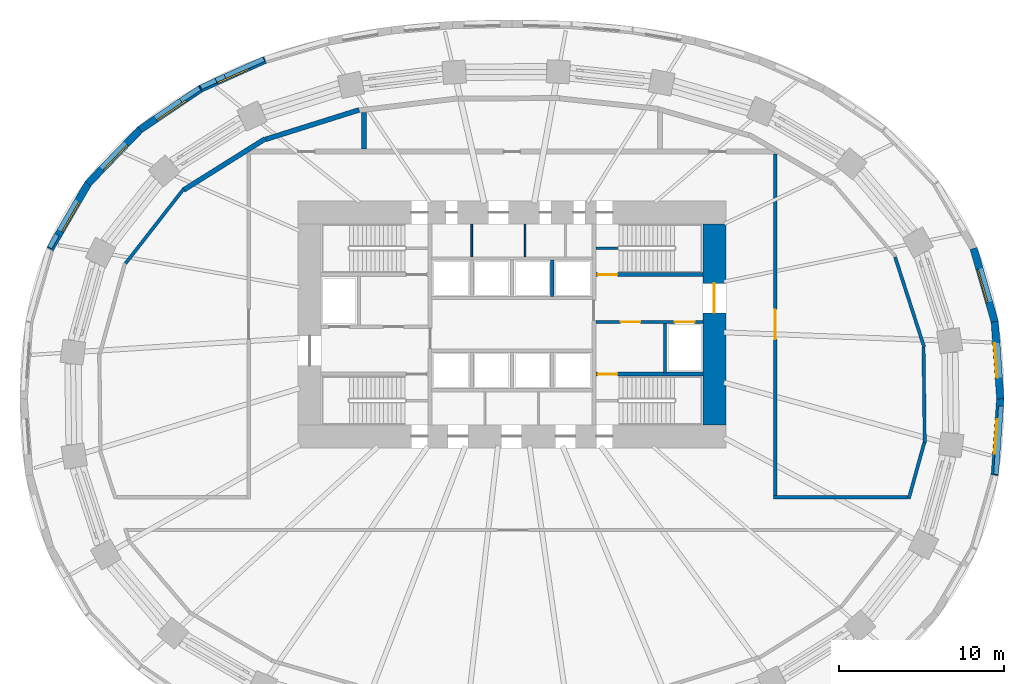
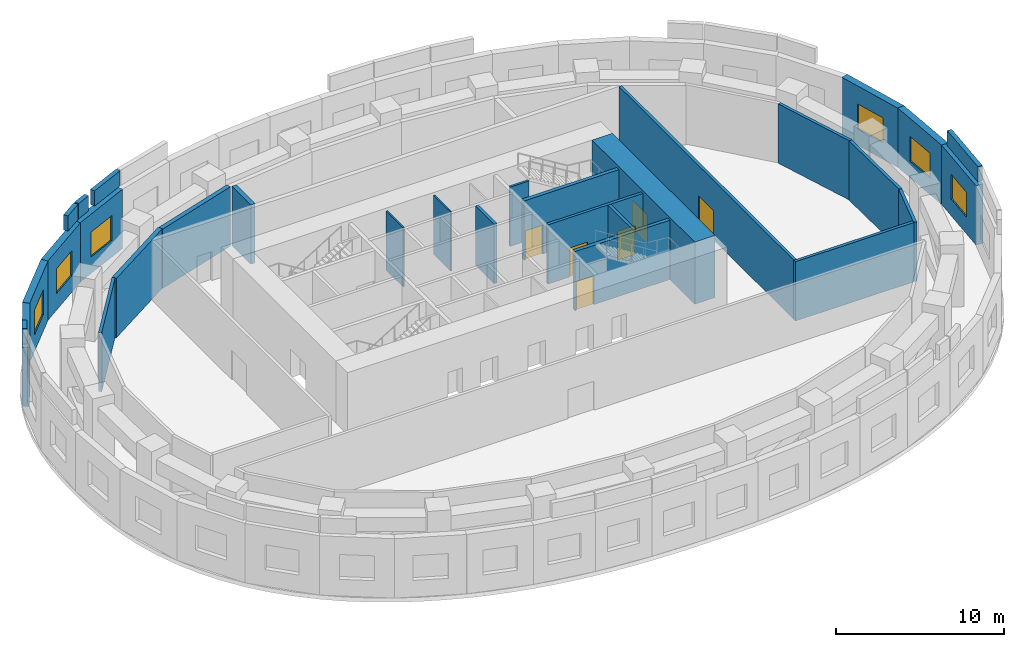
# One storey, part 6 of 9: 30 walls, 7 windows, 6 doors, 13 openings.
"""IFC4 building model written with IfcOpenShell, lengths in metres."""

from ifc_helpers import new_model, si_unit, direction, frame, frame_2d, origin, place, context, subcontext, project, spatial, rectangle, extrude, material, layer, layer_set, type_object, element, fill, save


model = new_model("IFC4")

# Units and contexts
model_context = context("Model", 3, precision=1e-05, world=origin(), true_north=direction((0.0, 1.0)))
body_context = subcontext(model_context, "Body", "Model", "MODEL_VIEW")
ifc_project = project(units=[si_unit("LENGTHUNIT", "METRE"), si_unit("AREAUNIT", "SQUARE_METRE"), si_unit("VOLUMEUNIT", "CUBIC_METRE"), si_unit("PLANEANGLEUNIT", "RADIAN"), si_unit("MASSUNIT", "GRAM", prefix="KILO")], contexts=[model_context])

# Site, building, storey
site_placement = place(None, origin())
site = spatial("IfcSite", under=ifc_project, at=site_placement, CompositionType="ELEMENT")
building_placement = place(site_placement, origin())
building = spatial("IfcBuilding", under=site, at=building_placement, Name="Rubra Terraces Tower", CompositionType="ELEMENT")
storey_placement = place(building_placement, frame((0.0, 0.0, 33.0)))
storey = spatial("IfcBuildingStorey", under=building, at=storey_placement, Name="L05", CompositionType="ELEMENT", Elevation=33.0)

# Wall, opening, window
ifc_material_1 = material(Name="Brick masonry red-brown", Category="masonry")
ifc_layer_1 = layer(ifc_material_1, 0.449951171875)
ifc_layer_set_1 = layer_set([ifc_layer_1], Name="Brick masonry red-brown")
wall_type_1 = type_object("IfcWallType", Name="Brick facade wall 450", PredefinedType="SOLIDWALL", material=ifc_layer_set_1)
wall_1_placement = place(storey_placement, frame((29.675537109375, -0.01611328125, 0.0), z_axis=(0.0, 0.0, 1.0), x_axis=(-0.071775601577, 0.997420805387, 0.0)))
wall_1 = element("IfcWall", 1, at=wall_1_placement, inside=storey, type_object=wall_type_1, Name="Facade wall L05 bay 1", PredefinedType="SOLIDWALL", context=body_context, shape_type="SweptSolid", body=[
    extrude(rectangle(XDim=4.694091796875, YDim=0.449951171875, at=frame_2d((2.34716796875, 0.0))), origin(), (0.0, 0.0, 1.0), 4.300048828125),
])
opening_1_placement = place(wall_1_placement, frame((1.297119140625, 0.0, 1.199951171875)))
opening_1 = element("IfcOpeningElement", 2, at=opening_1_placement, cuts=wall_1, Name="Opening W4", PredefinedType="OPENING", context=body_context, shape_type="SweptSolid", body=[
    extrude(rectangle(XDim=2.10009765625, YDim=1.800048828125, at=frame_2d((1.050048828125, 0.89990234375))), frame((0.0, 0.23486328125, 0.0), z_axis=(0.0, -1.0, 0.0), x_axis=(1.0, 0.0, 0.0)), (0.0, 0.0, 1.0), 0.469970703125),
])
ifc_material_2 = material(Name="Clear glass in aluminium frame", Category="aluminium")
window_type = type_object("IfcWindowType", Name="Louvred plant window 2100 x 1800", PartitioningType="SINGLE_PANEL", PredefinedType="WINDOW", material=ifc_material_2)
window_1_placement = place(opening_1_placement, origin())
window_1 = element("IfcWindow", 3, at=window_1_placement, inside=storey, type_object=window_type, Name="Window L05 bay 1", OverallHeight=1.800048828125, OverallWidth=2.10009765625, PartitioningType="SINGLE_PANEL", PredefinedType="WINDOW", context=body_context, shape_type="SweptSolid", body=[
    extrude(rectangle(XDim=2.10009765625, YDim=1.800048828125, at=frame_2d((1.050048828125, 0.89990234375))), frame((0.0, 0.135009765625, 0.0), z_axis=(0.0, -1.0, 0.0), x_axis=(1.0, 0.0, 0.0)), (0.0, 0.0, 1.0), 0.06005859375),
])
fill(opening_1, window_1)

wall_2_placement = place(storey_placement, frame((29.3466796875, 4.619873046875, 0.0), z_axis=(0.0, 0.0, 1.0), x_axis=(-0.27637239746, 0.961050621935, 0.0)))
wall_2 = element("IfcWall", 4, at=wall_2_placement, inside=storey, type_object=wall_type_1, Name="Facade wall L05 bay 2", PredefinedType="SOLIDWALL", context=body_context, shape_type="SweptSolid", body=[
    extrude(rectangle(XDim=4.685302734375, YDim=0.449951171875, at=frame_2d((2.3427734375, 0.0))), origin(), (0.0, 0.0, 1.0), 4.300048828125),
])
opening_2_placement = place(wall_2_placement, frame((1.292724609375, 0.0, 1.199951171875)))
opening_2 = element("IfcOpeningElement", 5, at=opening_2_placement, cuts=wall_2, Name="Opening W4", PredefinedType="OPENING", context=body_context, shape_type="SweptSolid", body=[
    extrude(rectangle(XDim=2.10009765625, YDim=1.800048828125, at=frame_2d((1.050048828125, 0.89990234375))), frame((0.0, 0.23486328125, 0.0), z_axis=(0.0, -1.0, 0.0), x_axis=(1.0, 0.0, 0.0)), (0.0, 0.0, 1.0), 0.469970703125),
])
window_2_placement = place(opening_2_placement, origin())
window_2 = element("IfcWindow", 6, at=window_2_placement, inside=storey, type_object=window_type, Name="Window L05 bay 2", OverallHeight=1.800048828125, OverallWidth=2.10009765625, PartitioningType="SINGLE_PANEL", PredefinedType="WINDOW", context=body_context, shape_type="SweptSolid", body=[
    extrude(rectangle(XDim=2.10009765625, YDim=1.800048828125, at=frame_2d((1.050048828125, 0.89990234375))), frame((0.0, 0.135009765625, 0.0), z_axis=(0.0, -1.0, 0.0), x_axis=(1.0, 0.0, 0.0)), (0.0, 0.0, 1.0), 0.06005859375),
])
fill(opening_2, window_2)

wall_3_placement = place(storey_placement, frame((-15.009033203125, 20.57958984375, 0.0), z_axis=(0.0, 0.0, 1.0), x_axis=(-0.912571415594, -0.408917365052, 0.0)))
wall_3 = element("IfcWall", 7, at=wall_3_placement, inside=storey, type_object=wall_type_1, Name="Facade wall L05 bay 15", PredefinedType="SOLIDWALL", context=body_context, shape_type="SweptSolid", body=[
    extrude(rectangle(XDim=4.301025390625, YDim=0.449951171875, at=frame_2d((2.150390625, 0.0))), origin(), (0.0, 0.0, 1.0), 4.300048828125),
])
opening_3_placement = place(wall_3_placement, frame((1.1005859375, 0.0, 1.199951171875)))
opening_3 = element("IfcOpeningElement", 8, at=opening_3_placement, cuts=wall_3, Name="Opening W4", PredefinedType="OPENING", context=body_context, shape_type="SweptSolid", body=[
    extrude(rectangle(XDim=2.10009765625, YDim=1.800048828125, at=frame_2d((1.050048828125, 0.89990234375))), frame((0.0, 0.23486328125, 0.0), z_axis=(0.0, -1.0, 0.0), x_axis=(1.0, 0.0, 0.0)), (0.0, 0.0, 1.0), 0.469970703125),
])
window_3_placement = place(opening_3_placement, origin())
window_3 = element("IfcWindow", 9, at=window_3_placement, inside=storey, type_object=window_type, Name="Window L05 bay 15", OverallHeight=1.800048828125, OverallWidth=2.10009765625, PartitioningType="SINGLE_PANEL", PredefinedType="WINDOW", context=body_context, shape_type="SweptSolid", body=[
    extrude(rectangle(XDim=2.10009765625, YDim=1.800048828125, at=frame_2d((1.050048828125, 0.89990234375))), frame((0.0, 0.135009765625, 0.0), z_axis=(0.0, -1.0, 0.0), x_axis=(1.0, 0.0, 0.0)), (0.0, 0.0, 1.0), 0.06005859375),
])
fill(opening_3, window_3)

wall_4_placement = place(storey_placement, frame((-18.900146484375, 18.839599609375, 0.0), z_axis=(0.0, 0.0, 1.0), x_axis=(-0.828976924359, -0.559282807604, 0.0)))
wall_4 = element("IfcWall", 10, at=wall_4_placement, inside=storey, type_object=wall_type_1, Name="Facade wall L05 bay 16", PredefinedType="SOLIDWALL", context=body_context, shape_type="SweptSolid", body=[
    extrude(rectangle(XDim=4.479248046875, YDim=0.449951171875, at=frame_2d((2.23974609375, 0.0))), origin(), (0.0, 0.0, 1.0), 4.300048828125),
])
opening_4_placement = place(wall_4_placement, frame((1.189453125, 0.0, 1.199951171875)))
opening_4 = element("IfcOpeningElement", 11, at=opening_4_placement, cuts=wall_4, Name="Opening W4", PredefinedType="OPENING", context=body_context, shape_type="SweptSolid", body=[
    extrude(rectangle(XDim=2.10009765625, YDim=1.800048828125, at=frame_2d((1.050048828125, 0.89990234375))), frame((0.0, 0.23486328125, 0.0), z_axis=(0.0, -1.0, 0.0), x_axis=(1.0, 0.0, 0.0)), (0.0, 0.0, 1.0), 0.469970703125),
])
window_4_placement = place(opening_4_placement, origin())
window_4 = element("IfcWindow", 12, at=window_4_placement, inside=storey, type_object=window_type, Name="Window L05 bay 16", OverallHeight=1.800048828125, OverallWidth=2.10009765625, PartitioningType="SINGLE_PANEL", PredefinedType="WINDOW", context=body_context, shape_type="SweptSolid", body=[
    extrude(rectangle(XDim=2.10009765625, YDim=1.800048828125, at=frame_2d((1.050048828125, 0.89990234375))), frame((0.0, 0.135009765625, 0.0), z_axis=(0.0, -1.0, 0.0), x_axis=(1.0, 0.0, 0.0)), (0.0, 0.0, 1.0), 0.06005859375),
])
fill(opening_4, window_4)

wall_5_placement = place(storey_placement, frame((-22.576904296875, 16.36474609375, 0.0), z_axis=(0.0, 0.0, 1.0), x_axis=(-0.694191591241, -0.719790271294, 0.0)))
wall_5 = element("IfcWall", 13, at=wall_5_placement, inside=storey, type_object=wall_type_1, Name="Facade wall L05 bay 17", PredefinedType="SOLIDWALL", context=body_context, shape_type="SweptSolid", body=[
    extrude(rectangle(XDim=4.596923828125, YDim=0.449951171875, at=frame_2d((2.29833984375, 0.0))), origin(), (0.0, 0.0, 1.0), 4.300048828125),
])
opening_5_placement = place(wall_5_placement, frame((1.24853515625, 0.0, 1.199951171875)))
opening_5 = element("IfcOpeningElement", 14, at=opening_5_placement, cuts=wall_5, Name="Opening W4", PredefinedType="OPENING", context=body_context, shape_type="SweptSolid", body=[
    extrude(rectangle(XDim=2.10009765625, YDim=1.800048828125, at=frame_2d((1.050048828125, 0.89990234375))), frame((0.0, 0.23486328125, 0.0), z_axis=(0.0, -1.0, 0.0), x_axis=(1.0, 0.0, 0.0)), (0.0, 0.0, 1.0), 0.469970703125),
])
window_5_placement = place(opening_5_placement, origin())
window_5 = element("IfcWindow", 15, at=window_5_placement, inside=storey, type_object=window_type, Name="Window L05 bay 17", OverallHeight=1.800048828125, OverallWidth=2.10009765625, PartitioningType="SINGLE_PANEL", PredefinedType="WINDOW", context=body_context, shape_type="SweptSolid", body=[
    extrude(rectangle(XDim=2.10009765625, YDim=1.800048828125, at=frame_2d((1.050048828125, 0.89990234375))), frame((0.0, 0.135009765625, 0.0), z_axis=(0.0, -1.0, 0.0), x_axis=(1.0, 0.0, 0.0)), (0.0, 0.0, 1.0), 0.06005859375),
])
fill(opening_5, window_5)

wall_6_placement = place(storey_placement, frame((-25.7353515625, 13.09912109375, 0.0), z_axis=(0.0, 0.0, 1.0), x_axis=(-0.502106426501, -0.864805837438, 0.0)))
wall_6 = element("IfcWall", 16, at=wall_6_placement, inside=storey, type_object=wall_type_1, Name="Facade wall L05 bay 18", PredefinedType="SOLIDWALL", context=body_context, shape_type="SweptSolid", body=[
    extrude(rectangle(XDim=4.65673828125, YDim=0.449951171875, at=frame_2d((2.328369140625, 0.0))), origin(), (0.0, 0.0, 1.0), 4.300048828125),
])
opening_6_placement = place(wall_6_placement, frame((1.2783203125, 0.0, 1.199951171875)))
opening_6 = element("IfcOpeningElement", 17, at=opening_6_placement, cuts=wall_6, Name="Opening W4", PredefinedType="OPENING", context=body_context, shape_type="SweptSolid", body=[
    extrude(rectangle(XDim=2.10009765625, YDim=1.800048828125, at=frame_2d((1.050048828125, 0.89990234375))), frame((0.0, 0.23486328125, 0.0), z_axis=(0.0, -1.0, 0.0), x_axis=(1.0, 0.0, 0.0)), (0.0, 0.0, 1.0), 0.469970703125),
])
window_6_placement = place(opening_6_placement, origin())
window_6 = element("IfcWindow", 18, at=window_6_placement, inside=storey, type_object=window_type, Name="Window L05 bay 18", OverallHeight=1.800048828125, OverallWidth=2.10009765625, PartitioningType="SINGLE_PANEL", PredefinedType="WINDOW", context=body_context, shape_type="SweptSolid", body=[
    extrude(rectangle(XDim=2.10009765625, YDim=1.800048828125, at=frame_2d((1.050048828125, 0.89990234375))), frame((0.0, 0.135009765625, 0.0), z_axis=(0.0, -1.0, 0.0), x_axis=(1.0, 0.0, 0.0)), (0.0, 0.0, 1.0), 0.06005859375),
])
fill(opening_6, window_6)

wall_7_placement = place(storey_placement, frame((29.338623046875, -4.665771484375, 0.0), z_axis=(0.0, 0.0, 1.0), x_axis=(0.071775601577, 0.997420805387, 0.0)))
wall_7 = element("IfcWall", 19, at=wall_7_placement, inside=storey, type_object=wall_type_1, Name="Facade wall L05 bay 40", PredefinedType="SOLIDWALL", context=body_context, shape_type="SweptSolid", body=[
    extrude(rectangle(XDim=4.694091796875, YDim=0.449951171875, at=frame_2d((2.34716796875, 0.0))), origin(), (0.0, 0.0, 1.0), 4.300048828125),
])
opening_7_placement = place(wall_7_placement, frame((1.297119140625, 0.0, 1.199951171875)))
opening_7 = element("IfcOpeningElement", 20, at=opening_7_placement, cuts=wall_7, Name="Opening W4", PredefinedType="OPENING", context=body_context, shape_type="SweptSolid", body=[
    extrude(rectangle(XDim=2.10009765625, YDim=1.800048828125, at=frame_2d((1.050048828125, 0.89990234375))), frame((0.0, 0.23486328125, 0.0), z_axis=(0.0, -1.0, 0.0), x_axis=(1.0, 0.0, 0.0)), (0.0, 0.0, 1.0), 0.469970703125),
])
window_7_placement = place(opening_7_placement, origin())
window_7 = element("IfcWindow", 21, at=window_7_placement, inside=storey, type_object=window_type, Name="Window L05 bay 40", OverallHeight=1.800048828125, OverallWidth=2.10009765625, PartitioningType="SINGLE_PANEL", PredefinedType="WINDOW", context=body_context, shape_type="SweptSolid", body=[
    extrude(rectangle(XDim=2.10009765625, YDim=1.800048828125, at=frame_2d((1.050048828125, 0.89990234375))), frame((0.0, 0.135009765625, 0.0), z_axis=(0.0, -1.0, 0.0), x_axis=(1.0, 0.0, 0.0)), (0.0, 0.0, 1.0), 0.06005859375),
])
fill(opening_7, window_7)

# Walls
ifc_layer_2 = layer(ifc_material_1, 0.300048828125)
ifc_layer_set_2 = layer_set([ifc_layer_2], Name="Brick masonry red-brown")
wall_type_2 = type_object("IfcWallType", Name="Brick parapet 300", PredefinedType="PARAPET", material=ifc_layer_set_2)
wall_8_placement = place(storey_placement, frame((-15.0859375, 20.62744140625, 4.5), z_axis=(0.0, 0.0, 1.0), x_axis=(-0.912551779841, -0.408961182889, 0.0)))
element("IfcWall", 22, at=wall_8_placement, inside=storey, type_object=wall_type_2, Name="Parapet L05 bay 15", PredefinedType="PARAPET", context=body_context, shape_type="SweptSolid", body=[
    extrude(rectangle(XDim=2.59033203125, YDim=0.300048828125, at=frame_2d((1.295166015625, 0.0))), origin(), (0.0, 0.0, 1.0), 1.10009765625),
])
wall_9_placement = place(storey_placement, frame((-17.994140625, 19.32421875, 4.5), z_axis=(0.0, 0.0, 1.0), x_axis=(-0.912568559093, -0.408923739779, 0.0)))
element("IfcWall", 23, at=wall_9_placement, inside=storey, type_object=wall_type_2, Name="Parapet L05 bay 15.2", PredefinedType="PARAPET", context=body_context, shape_type="SweptSolid", body=[
    extrude(rectangle(XDim=1.0078125, YDim=0.300048828125, at=frame_2d((0.50390625, 0.0))), origin(), (0.0, 0.0, 1.0), 1.10009765625),
])
wall_10_placement = place(storey_placement, frame((-18.988525390625, 18.870361328125, 4.5), z_axis=(0.0, 0.0, 1.0), x_axis=(-0.828947562887, -0.55932632513, 0.0)))
element("IfcWall", 24, at=wall_10_placement, inside=storey, type_object=wall_type_2, Name="Parapet L05 bay 16", PredefinedType="PARAPET", context=body_context, shape_type="SweptSolid", body=[
    extrude(rectangle(XDim=1.37353515625, YDim=0.300048828125, at=frame_2d((0.686767578125, 0.0))), origin(), (0.0, 0.0, 1.0), 1.10009765625),
])
wall_11_placement = place(storey_placement, frame((-27.64599609375, 9.95751953125, 4.5), z_axis=(0.0, 0.0, 1.0), x_axis=(-0.502058122992, -0.86483388066, 0.0)))
element("IfcWall", 25, at=wall_11_placement, inside=storey, type_object=wall_type_2, Name="Parapet L05 bay 18", PredefinedType="PARAPET", context=body_context, shape_type="SweptSolid", body=[
    extrude(rectangle(XDim=0.913330078125, YDim=0.300048828125, at=frame_2d((0.45654296875, 0.0))), origin(), (0.0, 0.0, 1.0), 1.10009765625),
])
wall_12_placement = place(storey_placement, frame((29.417724609375, -4.610107421875, 4.5), z_axis=(0.0, 0.0, 1.0), x_axis=(0.071780933021, 0.997420421715, 0.0)))
element("IfcWall", 26, at=wall_12_placement, inside=storey, type_object=wall_type_2, Name="Parapet L05 bay 40", PredefinedType="PARAPET", context=body_context, shape_type="SweptSolid", body=[
    extrude(rectangle(XDim=4.15966796875, YDim=0.300048828125, at=frame_2d((2.079833984375, 0.0))), origin(), (0.0, 0.0, 1.0), 1.10009765625),
])

# Wall, opening, door
ifc_material_3 = material(Name="Concrete C70", Category="concrete")
ifc_layer_3 = layer(ifc_material_3, 1.39990234375)
ifc_layer_set_3 = layer_set([ifc_layer_3], Name="Concrete C70")
wall_type_3 = type_object("IfcWallType", Name="CORE WALL 1400 C70", PredefinedType="SHEAR", material=ifc_layer_set_3)
wall_13_placement = place(storey_placement, frame((12.300048828125, -1.60009765625, 0.0), z_axis=(0.0, 0.0, 1.0), x_axis=(0.0, 1.0, 0.0)))
wall_13 = element("IfcWall", 27, at=wall_13_placement, inside=storey, type_object=wall_type_3, Name="CORE WALL E L05", PredefinedType="SHEAR", context=body_context, shape_type="SweptSolid", body=[
    extrude(rectangle(XDim=12.2001953125, YDim=1.39990234375, at=frame_2d((6.10009765625, 0.0))), origin(), (0.0, 0.0, 1.0), 4.5),
])
opening_8_placement = place(wall_13_placement, frame((6.800048828125, 0.0, 0.0)))
opening_8 = element("IfcOpeningElement", 28, at=opening_8_placement, cuts=wall_13, Name="Opening L05.C02", PredefinedType="OPENING", context=body_context, shape_type="SweptSolid", body=[
    extrude(rectangle(XDim=1.800048828125, YDim=2.10009765625, at=frame_2d((0.89990234375, 1.050048828125))), frame((0.0, 0.7099609375, 0.0), z_axis=(0.0, -1.0, 0.0), x_axis=(1.0, 0.0, 0.0)), (0.0, 0.0, 1.0), 1.419921875),
])
ifc_material_4 = material(Name="Painted steel", Category="steel")
door_type_1 = type_object("IfcDoorType", Name="Fire door 1800x2100 double", OperationType="NOTDEFINED", PredefinedType="DOOR", material=ifc_material_4)
door_1_placement = place(opening_8_placement, origin())
door_1 = element("IfcDoor", 29, at=door_1_placement, inside=storey, type_object=door_type_1, Name="Core entrance door FF2", OperationType="DOUBLE_DOOR_SINGLE_SWING", OverallHeight=2.10009765625, OverallWidth=1.800048828125, PredefinedType="DOOR", context=body_context, shape_type="SweptSolid", body=[
    extrude(rectangle(XDim=1.800048828125, YDim=2.10009765625, at=frame_2d((0.89990234375, 1.050048828125))), frame((0.0, 0.02490234375, 0.0), z_axis=(0.0, -1.0, 0.0), x_axis=(1.0, 0.0, 0.0)), (0.0, 0.0, 1.0), 0.050048828125),
])
fill(opening_8, door_1)

# Wall, openings, doors
ifc_material_5 = material(Name="Concrete C30", Category="concrete")
ifc_layer_4 = layer(ifc_material_5, 0.199951171875)
ifc_layer_set_4 = layer_set([ifc_layer_4], Name="Concrete C30")
wall_type_4 = type_object("IfcWallType", Name="Core wall 200 concrete", PredefinedType="SOLIDWALL", material=ifc_layer_set_4)
wall_14_placement = place(storey_placement, frame((11.60009765625, 4.64990234375, 0.0), z_axis=(0.0, 0.0, 1.0), x_axis=(-1.0, 0.0, 0.0)))
wall_14 = element("IfcWall", 30, at=wall_14_placement, inside=storey, type_object=wall_type_4, Name="STAIR WALL L05", PredefinedType="SOLIDWALL", context=body_context, shape_type="SweptSolid", body=[
    extrude(rectangle(XDim=6.5, YDim=0.199951171875, at=frame_2d((3.25, 0.0))), origin(), (0.0, 0.0, 1.0), 4.300048828125),
])
opening_9_placement = place(wall_14_placement, frame((3.800048828125, 0.0, 0.0)))
opening_9 = element("IfcOpeningElement", 31, at=opening_9_placement, cuts=wall_14, Name="Opening L05.C06", PredefinedType="OPENING", context=body_context, shape_type="SweptSolid", body=[
    extrude(rectangle(XDim=1.199951171875, YDim=2.10009765625, at=frame_2d((0.60009765625, 1.050048828125))), frame((0.0, 0.10986328125, 0.0), z_axis=(0.0, -1.0, 0.0), x_axis=(1.0, 0.0, 0.0)), (0.0, 0.0, 1.0), 0.219970703125),
])
opening_10_placement = place(wall_14_placement, frame((0.5, 0.0, 0.0)))
opening_10 = element("IfcOpeningElement", 32, at=opening_10_placement, cuts=wall_14, Name="Opening L05.C12", PredefinedType="OPENING", context=body_context, shape_type="SweptSolid", body=[
    extrude(rectangle(XDim=1.199951171875, YDim=2.10009765625, at=frame_2d((0.60009765625, 1.050048828125))), frame((0.0, 0.10986328125, 0.0), z_axis=(0.0, -1.0, 0.0), x_axis=(1.0, 0.0, 0.0)), (0.0, 0.0, 1.0), 0.219970703125),
])
door_type_2 = type_object("IfcDoorType", Name="Fire door 1200x2100 single", OperationType="NOTDEFINED", PredefinedType="DOOR", material=ifc_material_4)
door_2_placement = place(opening_9_placement, origin())
door_2 = element("IfcDoor", 33, at=door_2_placement, inside=storey, type_object=door_type_2, Name="Stair vestibule door S4", OperationType="SINGLE_SWING_RIGHT", OverallHeight=2.10009765625, OverallWidth=1.199951171875, PredefinedType="DOOR", context=body_context, shape_type="SweptSolid", body=[
    extrude(rectangle(XDim=1.199951171875, YDim=2.10009765625, at=frame_2d((0.60009765625, 1.050048828125))), frame((0.0, 0.02490234375, 0.0), z_axis=(0.0, -1.0, 0.0), x_axis=(1.0, 0.0, 0.0)), (0.0, 0.0, 1.0), 0.050048828125),
])
fill(opening_9, door_2)
ifc_material_6 = material(Name="Stainless steel", Category="steel")
door_type_3 = type_object("IfcDoorType", Name="Lift landing door 1200x2100", OperationType="NOTDEFINED", PredefinedType="DOOR", material=ifc_material_6)
door_3_placement = place(opening_10_placement, origin())
door_3 = element("IfcDoor", 34, at=door_3_placement, inside=storey, type_object=door_type_3, Name="Landing door FF2", OperationType="SLIDING_TO_RIGHT", OverallHeight=2.10009765625, OverallWidth=1.199951171875, PredefinedType="DOOR", context=body_context, shape_type="SweptSolid", body=[
    extrude(rectangle(XDim=1.199951171875, YDim=2.10009765625, at=frame_2d((0.60009765625, 1.050048828125))), frame((0.0, 0.02490234375, 0.0), z_axis=(0.0, -1.0, 0.0), x_axis=(1.0, 0.0, 0.0)), (0.0, 0.0, 1.0), 0.050048828125),
])
fill(opening_10, door_3)

# Walls
wall_15_placement = place(storey_placement, frame((9.300048828125, 4.550048828125, 0.0), z_axis=(0.0, 0.0, 1.0), x_axis=(0.0, -1.0, 0.0)))
element("IfcWall", 35, at=wall_15_placement, inside=storey, type_object=wall_type_4, Name="STAIR WALL L05", PredefinedType="SOLIDWALL", context=body_context, shape_type="SweptSolid", body=[
    extrude(rectangle(XDim=3.0, YDim=0.199951171875, at=frame_2d((1.5, 0.0))), origin(), (0.0, 0.0, 1.0), 4.300048828125),
])
wall_16_placement = place(storey_placement, frame((2.449951171875, 6.199951171875, 0.0), z_axis=(0.0, 0.0, 1.0), x_axis=(0.0, 1.0, 0.0)))
element("IfcWall", 36, at=wall_16_placement, inside=storey, type_object=wall_type_4, Name="LIFT SHAFT WALL L05", PredefinedType="SOLIDWALL", context=body_context, shape_type="SweptSolid", body=[
    extrude(rectangle(XDim=2.199951171875, YDim=0.199951171875, at=frame_2d((1.10009765625, 0.0))), origin(), (0.0, 0.0, 1.0), 4.300048828125),
])
ifc_material_7 = material(Name="Blockwork", Category="masonry")
ifc_layer_5 = layer(ifc_material_7, 0.199951171875)
ifc_layer_set_5 = layer_set([ifc_layer_5], Name="Blockwork")
wall_type_5 = type_object("IfcWallType", Name="Corridor partition 200 blockwork", PredefinedType="PARTITIONING", material=ifc_layer_set_5)
wall_17_placement = place(storey_placement, frame((-23.48388671875, 8.2109375, 0.0), z_axis=(0.0, 0.0, 1.0), x_axis=(0.615543213925, 0.78810313525, 0.0)))
element("IfcWall", 37, at=wall_17_placement, inside=storey, type_object=wall_type_5, Name="Partition wall", PredefinedType="PARTITIONING", context=body_context, shape_type="SweptSolid", body=[
    extrude(rectangle(XDim=5.73291015625, YDim=0.199951171875, at=frame_2d((2.866455078125, 0.0))), origin(), (0.0, 0.0, 1.0), 4.300048828125),
])
wall_18_placement = place(storey_placement, frame((23.281982421875, 8.593017578125, 0.0), z_axis=(0.0, 0.0, 1.0), x_axis=(0.307048901132, -0.951693738717, 0.0)))
element("IfcWall", 38, at=wall_18_placement, inside=storey, type_object=wall_type_5, Name="Partition wall", PredefinedType="PARTITIONING", context=body_context, shape_type="SweptSolid", body=[
    extrude(rectangle(XDim=5.722412109375, YDim=0.199951171875, at=frame_2d((2.861328125, 0.0))), origin(), (0.0, 0.0, 1.0), 4.300048828125),
])
wall_19_placement = place(storey_placement, frame((25.009033203125, 3.14208984375, 0.0), z_axis=(0.0, 0.0, 1.0), x_axis=(0.012494323245, -0.999921942897, 0.0)))
element("IfcWall", 39, at=wall_19_placement, inside=storey, type_object=wall_type_5, Name="Partition wall", PredefinedType="PARTITIONING", context=body_context, shape_type="SweptSolid", body=[
    extrude(rectangle(XDim=5.842529296875, YDim=0.199951171875, at=frame_2d((2.92138671875, 0.0))), origin(), (0.0, 0.0, 1.0), 4.300048828125),
])
wall_20_placement = place(storey_placement, frame((25.053955078125, -2.696044921875, 0.0), z_axis=(0.0, 0.0, 1.0), x_axis=(-0.267236988138, -0.963630838117, 0.0)))
element("IfcWall", 40, at=wall_20_placement, inside=storey, type_object=wall_type_5, Name="Partition wall", PredefinedType="PARTITIONING", context=body_context, shape_type="SweptSolid", body=[
    extrude(rectangle(XDim=3.5283203125, YDim=0.199951171875, at=frame_2d((1.76416015625, 0.0))), origin(), (0.0, 0.0, 1.0), 4.300048828125),
])
wall_21_placement = place(storey_placement, frame((24.0380859375, -6.0, 0.0), z_axis=(0.0, 0.0, 1.0), x_axis=(-1.0, 0.0, 0.0)))
element("IfcWall", 41, at=wall_21_placement, inside=storey, type_object=wall_type_5, Name="Partition wall", PredefinedType="PARTITIONING", context=body_context, shape_type="SweptSolid", body=[
    extrude(rectangle(XDim=8.13818359375, YDim=0.199951171875, at=frame_2d((4.069091796875, 0.0))), origin(), (0.0, 0.0, 1.0), 4.300048828125),
])

# Wall, opening, door
wall_22_placement = place(storey_placement, frame((16.0, -5.89990234375, 0.0), z_axis=(0.0, 0.0, 1.0), x_axis=(0.0, 1.0, 0.0)))
wall_22 = element("IfcWall", 42, at=wall_22_placement, inside=storey, type_object=wall_type_5, Name="Partition wall", PredefinedType="PARTITIONING", context=body_context, shape_type="SweptSolid", body=[
    extrude(rectangle(XDim=20.75, YDim=0.199951171875, at=frame_2d((10.375, 0.0))), origin(), (0.0, 0.0, 1.0), 4.300048828125),
])
opening_11_placement = place(wall_22_placement, frame((9.5, 0.0, 0.0)))
opening_11 = element("IfcOpeningElement", 43, at=opening_11_placement, cuts=wall_22, Name="Opening DB3", PredefinedType="OPENING", context=body_context, shape_type="SweptSolid", body=[
    extrude(rectangle(XDim=1.800048828125, YDim=2.10009765625, at=frame_2d((0.89990234375, 1.050048828125))), frame((0.0, 0.10986328125, 0.0), z_axis=(0.0, -1.0, 0.0), x_axis=(1.0, 0.0, 0.0)), (0.0, 0.0, 1.0), 0.219970703125),
])
door_type_4 = type_object("IfcDoorType", Name="Door 1800x2100 double", OperationType="NOTDEFINED", PredefinedType="DOOR", material=ifc_material_4)
door_4_placement = place(opening_11_placement, origin())
door_4 = element("IfcDoor", 44, at=door_4_placement, inside=storey, type_object=door_type_4, Name="Refuge area door L05-03", OperationType="DOUBLE_DOOR_SINGLE_SWING", OverallHeight=2.10009765625, OverallWidth=1.800048828125, PredefinedType="DOOR", context=body_context, shape_type="SweptSolid", body=[
    extrude(rectangle(XDim=1.800048828125, YDim=2.10009765625, at=frame_2d((0.89990234375, 1.050048828125))), frame((0.0, 0.02490234375, 0.0), z_axis=(0.0, -1.0, 0.0), x_axis=(1.0, 0.0, 0.0)), (0.0, 0.0, 1.0), 0.050048828125),
])
fill(opening_11, door_4)

# Walls
ifc_layer_6 = layer(ifc_material_7, 0.300048828125)
ifc_layer_set_6 = layer_set([ifc_layer_6], Name="Blockwork")
wall_type_6 = type_object("IfcWallType", Name="Plant wall 300 blockwork", PredefinedType="SOLIDWALL", material=ifc_layer_set_6)
wall_23_placement = place(storey_placement, frame((-19.9619140625, 12.6640625, 0.0), z_axis=(0.0, 0.0, 1.0), x_axis=(0.847051762776, 0.531510405522, 0.0)))
element("IfcWall", 45, at=wall_23_placement, inside=storey, type_object=wall_type_6, Name="Plant room wall", PredefinedType="SOLIDWALL", context=body_context, shape_type="SweptSolid", body=[
    extrude(rectangle(XDim=5.862548828125, YDim=0.300048828125, at=frame_2d((2.93115234375, 0.0))), origin(), (0.0, 0.0, 1.0), 4.300048828125),
])
wall_24_placement = place(storey_placement, frame((-14.97998046875, 15.7451171875, 0.0), z_axis=(0.0, 0.0, 1.0), x_axis=(0.953907270772, 0.300101514107, 0.0)))
element("IfcWall", 46, at=wall_24_placement, inside=storey, type_object=wall_type_6, Name="Plant room wall", PredefinedType="SOLIDWALL", context=body_context, shape_type="SweptSolid", body=[
    extrude(rectangle(XDim=5.95751953125, YDim=0.300048828125, at=frame_2d((2.978759765625, 0.0))), origin(), (0.0, 0.0, 1.0), 4.300048828125),
])
wall_25_placement = place(storey_placement, frame((-9.0, 17.39111328125, 0.0), z_axis=(0.0, 0.0, 1.0), x_axis=(0.0, -1.0, 0.0)))
element("IfcWall", 47, at=wall_25_placement, inside=storey, type_object=wall_type_6, Name="Plant room wall", PredefinedType="SOLIDWALL", context=body_context, shape_type="SweptSolid", body=[
    extrude(rectangle(XDim=2.2412109375, YDim=0.300048828125, at=frame_2d((1.12060546875, 0.0))), origin(), (0.0, 0.0, 1.0), 4.300048828125),
])
ifc_layer_7 = layer(ifc_material_7, 0.10009765625)
ifc_layer_set_7 = layer_set([ifc_layer_7], Name="Blockwork")
wall_type_7 = type_object("IfcWallType", Name="Service partition 100 blockwork", PredefinedType="PARTITIONING", material=ifc_layer_set_7)
for number, where, z_axis, x_axis, name in (
    (48, (-2.449951171875, 8.60009765625, 0.0), (0.0, 0.0, 1.0), (0.0, 1.0, 0.0), "SERVICE ROOM PARTITION L05"),
    (49, (0.800048828125, 8.60009765625, 0.0), (0.0, 0.0, 1.0), (0.0, 1.0, 0.0), "SERVICE ROOM PARTITION L05"),
):
    element("IfcWall", number, at=place(storey_placement, frame(where, z_axis=z_axis, x_axis=x_axis)), inside=storey, type_object=wall_type_7, Name=name, PredefinedType="PARTITIONING", context=body_context, shape_type="SweptSolid", body=[
        extrude(rectangle(XDim=2.0, YDim=0.10009765625, at=frame_2d((1.0, 0.0))), origin(), (0.0, 0.0, 1.0), 4.300048828125),
    ])

# Wall, opening, door
ifc_material_8 = material(Name="Concrete C40", Category="concrete")
ifc_layer_8 = layer(ifc_material_8, 0.25)
ifc_layer_set_8 = layer_set([ifc_layer_8], Name="Concrete C40")
wall_type_8 = type_object("IfcWallType", Name="Stair enclosure wall 250 concrete", PredefinedType="SOLIDWALL", material=ifc_layer_set_8)
wall_26_placement = place(storey_placement, frame((11.60009765625, 7.52490234375, 0.0), z_axis=(0.0, 0.0, 1.0), x_axis=(-1.0, 0.0, 0.0)))
wall_26 = element("IfcWall", 50, at=wall_26_placement, inside=storey, type_object=wall_type_8, Name="STAIR WALL L05", PredefinedType="SOLIDWALL", context=body_context, shape_type="SweptSolid", body=[
    extrude(rectangle(XDim=6.5, YDim=0.25, at=frame_2d((3.25, 0.0))), origin(), (0.0, 0.0, 1.0), 4.300048828125),
])
opening_12_placement = place(wall_26_placement, frame((5.199951171875, 0.0, 0.0)))
opening_12 = element("IfcOpeningElement", 51, at=opening_12_placement, cuts=wall_26, Name="Opening L05.C08", PredefinedType="OPENING", context=body_context, shape_type="SweptSolid", body=[
    extrude(rectangle(XDim=1.199951171875, YDim=2.10009765625, at=frame_2d((0.60009765625, 1.050048828125))), frame((0.0, 0.135009765625, 0.0), z_axis=(0.0, -1.0, 0.0), x_axis=(1.0, 0.0, 0.0)), (0.0, 0.0, 1.0), 0.27001953125),
])
door_5_placement = place(opening_12_placement, origin())
door_5 = element("IfcDoor", 52, at=door_5_placement, inside=storey, type_object=door_type_2, Name="Stair door S3", OperationType="SINGLE_SWING_RIGHT", OverallHeight=2.10009765625, OverallWidth=1.199951171875, PredefinedType="DOOR", context=body_context, shape_type="SweptSolid", body=[
    extrude(rectangle(XDim=1.199951171875, YDim=2.10009765625, at=frame_2d((0.60009765625, 1.050048828125))), frame((0.0, 0.02490234375, 0.0), z_axis=(0.0, -1.0, 0.0), x_axis=(1.0, 0.0, 0.0)), (0.0, 0.0, 1.0), 0.050048828125),
])
fill(opening_12, door_5)

wall_27_placement = place(storey_placement, frame((11.60009765625, 1.47509765625, 0.0), z_axis=(0.0, 0.0, 1.0), x_axis=(-1.0, 0.0, 0.0)))
wall_27 = element("IfcWall", 53, at=wall_27_placement, inside=storey, type_object=wall_type_8, Name="STAIR WALL L05", PredefinedType="SOLIDWALL", context=body_context, shape_type="SweptSolid", body=[
    extrude(rectangle(XDim=6.5, YDim=0.25, at=frame_2d((3.25, 0.0))), origin(), (0.0, 0.0, 1.0), 4.300048828125),
])
opening_13_placement = place(wall_27_placement, frame((5.199951171875, 0.0, 0.0)))
opening_13 = element("IfcOpeningElement", 54, at=opening_13_placement, cuts=wall_27, Name="Opening L05.C10", PredefinedType="OPENING", context=body_context, shape_type="SweptSolid", body=[
    extrude(rectangle(XDim=1.199951171875, YDim=2.10009765625, at=frame_2d((0.60009765625, 1.050048828125))), frame((0.0, 0.135009765625, 0.0), z_axis=(0.0, -1.0, 0.0), x_axis=(1.0, 0.0, 0.0)), (0.0, 0.0, 1.0), 0.27001953125),
])
door_6_placement = place(opening_13_placement, origin())
door_6 = element("IfcDoor", 55, at=door_6_placement, inside=storey, type_object=door_type_2, Name="Stair door S4", OperationType="SINGLE_SWING_RIGHT", OverallHeight=2.10009765625, OverallWidth=1.199951171875, PredefinedType="DOOR", context=body_context, shape_type="SweptSolid", body=[
    extrude(rectangle(XDim=1.199951171875, YDim=2.10009765625, at=frame_2d((0.60009765625, 1.050048828125))), frame((0.0, 0.02490234375, 0.0), z_axis=(0.0, -1.0, 0.0), x_axis=(1.0, 0.0, 0.0)), (0.0, 0.0, 1.0), 0.050048828125),
])
fill(opening_13, door_6)

# Wall
ifc_layer_9 = layer(ifc_material_8, 0.14990234375)
ifc_layer_set_9 = layer_set([ifc_layer_9], Name="Concrete C40")
wall_type_9 = type_object("IfcWallType", Name="Stair separation wall 150 concrete", PredefinedType="SOLIDWALL", material=ifc_layer_set_9)
wall_28_placement = place(storey_placement, frame((6.39990234375, 9.125, 0.0), z_axis=(0.0, 0.0, 1.0), x_axis=(-1.0, 0.0, 0.0)))
element("IfcWall", 56, at=wall_28_placement, inside=storey, type_object=wall_type_9, Name="STAIR SEPARATION WALL L05", PredefinedType="SOLIDWALL", context=body_context, shape_type="SweptSolid", body=[
    extrude(rectangle(XDim=1.2998046875, YDim=0.14990234375, at=frame_2d((0.64990234375, 0.0))), origin(), (0.0, 0.0, 1.0), 4.300048828125),
])

save(model, "model.ifc")
